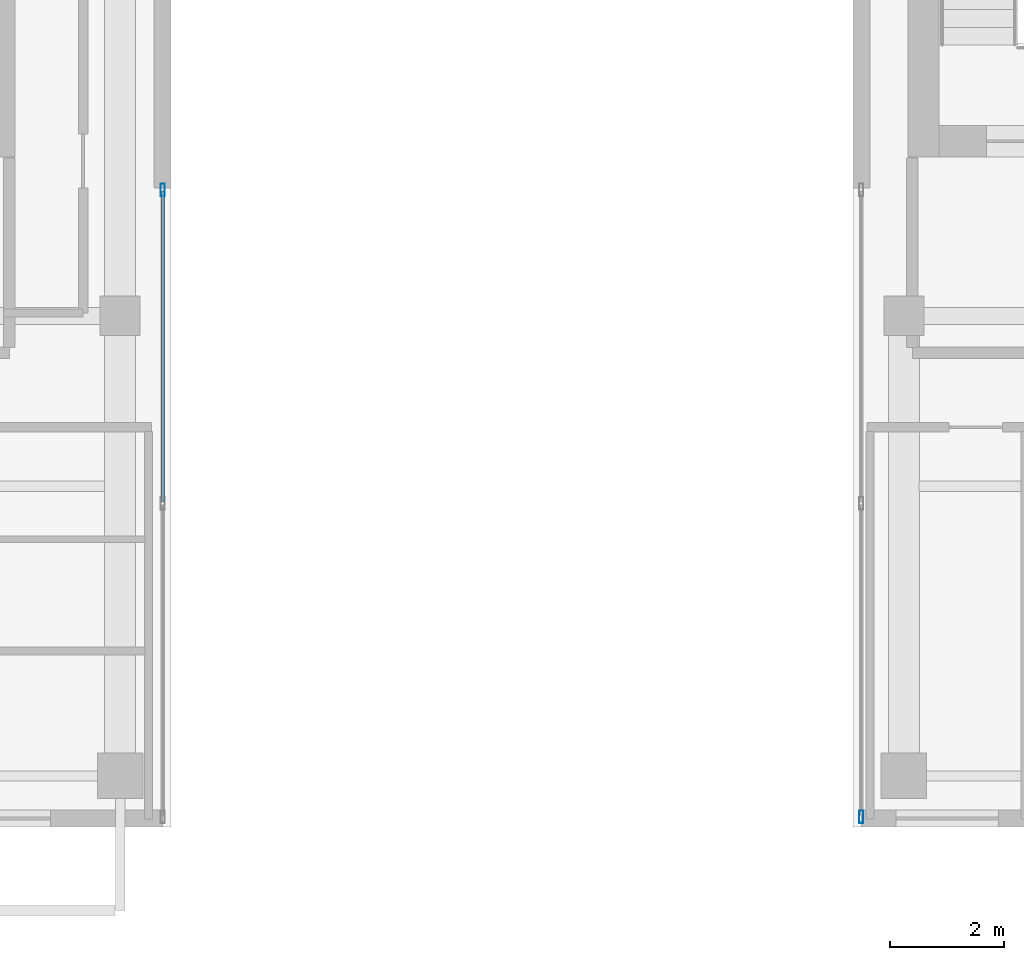
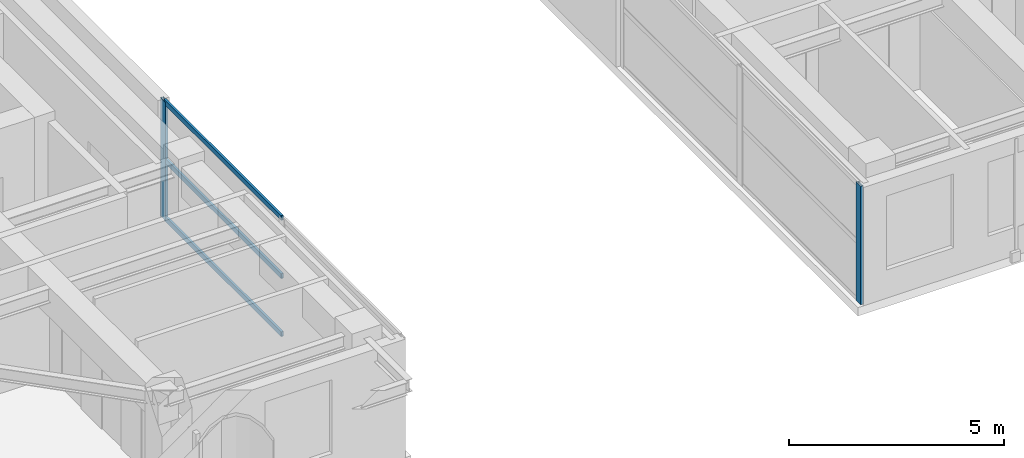
# One storey, part 4 of 22: 5 members, 2 elements without a shape of their own.
"""IFC4 building model written with IfcOpenShell, lengths in metres."""

from ifc_helpers import new_model, si_unit, direction, frame, origin, origin_2d, place, context, subcontext, project, spatial, hollow_rectangle, extrude, source, transform, mapped, material, layer, layer_set, material_profile, profile_set, type_object, element, aggregate, save


model = new_model("IFC4")

# Units and contexts
model_context = context("Model", 3, precision=1e-05, world=origin(), true_north=direction((0.0, 1.0)))
body_context = subcontext(model_context, "Body", "Model", "MODEL_VIEW")
ifc_project = project(units=[si_unit("LENGTHUNIT", "METRE"), si_unit("AREAUNIT", "SQUARE_METRE"), si_unit("VOLUMEUNIT", "CUBIC_METRE"), si_unit("PLANEANGLEUNIT", "RADIAN"), si_unit("MASSUNIT", "GRAM", prefix="KILO")], contexts=[model_context])

# Site, building, storey
site_placement = place(None, origin())
site = spatial("IfcSite", under=ifc_project, at=site_placement, CompositionType="ELEMENT")
building_placement = place(site_placement, origin())
building = spatial("IfcBuilding", under=site, at=building_placement, Name="Khoralis Quay Care Tower", CompositionType="ELEMENT")
storey_placement = place(building_placement, frame((0.0, 0.0, 256.5)))
storey = spatial("IfcBuildingStorey", under=building, at=storey_placement, Name="L67", CompositionType="ELEMENT", Elevation=256.5)

# Curtain wall, member
ifc_material = material(Name="Pale anodised aluminium", Category="aluminium")
ifc_layer = layer(ifc_material, 0.18994140625)
ifc_layer_set = layer_set([ifc_layer], Name="Pale anodised aluminium")
curtain_wall_type = type_object("IfcCurtainWallType", Name="CW-SYS-PORTAL", PredefinedType="NOTDEFINED", material=ifc_layer_set)
curtain_wall_1_placement = place(storey_placement, origin())
curtain_wall_1 = element("IfcCurtainWall", 1, at=curtain_wall_1_placement, inside=storey, type_object=curtain_wall_type, Name="L67 Unitised Curtain Wall CW-VP-L67-P1-S", PredefinedType="NOTDEFINED")
ifc_material_profile_1 = material_profile(ifc_material, hollow_rectangle(XDim=0.074951171875, YDim=0.219970703125, WallThickness=0.00390625, at=origin_2d()), Name="Pale anodised aluminium")
ifc_profile_set_1 = profile_set([ifc_material_profile_1], Name="Pale anodised aluminium")
member_type_1 = type_object("IfcMemberType", Name="CW-MUL-220", PredefinedType="MULLION", material=ifc_profile_set_1)
shared_shape_1 = source(origin(), body_context, "Body", "SweptSolid", [
    extrude(hollow_rectangle(XDim=0.074951171875, YDim=0.219970703125, WallThickness=0.00390625, at=origin_2d()), origin(), (0.0, 0.0, 1.0), 3.360107421875),
])
member_1_placement = place(storey_placement, frame((17.85009765625, 14.219970703125, 0.0), z_axis=(0.0, 0.0, 1.0), x_axis=(-1.0, 0.0, 0.0)))
member_1 = element("IfcMember", 2, at=member_1_placement, type_object=member_type_1, Name="CW4 mullion 3", PredefinedType="MULLION", context=body_context, shape_type="MappedRepresentation", body=[
    mapped(shared_shape_1, transform((0.0, 0.0, 0.0), scale=1.0)),
])

curtain_wall_2_placement = place(storey_placement, origin())
curtain_wall_2 = element("IfcCurtainWall", 3, at=curtain_wall_2_placement, inside=storey, type_object=curtain_wall_type, Name="L67 Unitised Curtain Wall CW-VP-L67-P2-S", PredefinedType="NOTDEFINED")
member_2_placement = place(storey_placement, frame((30.14990234375, 3.179931640625, 0.0), z_axis=(0.0, 0.0, 1.0), x_axis=(-1.0, 0.0, 0.0)))
member_2 = element("IfcMember", 4, at=member_2_placement, type_object=member_type_1, Name="CW4 mullion 1", PredefinedType="MULLION", context=body_context, shape_type="MappedRepresentation", body=[
    mapped(shared_shape_1, transform((0.0, 0.0, 0.0), scale=1.0)),
])
aggregate(curtain_wall_2, [member_2])

# Member
ifc_material_profile_2 = material_profile(ifc_material, hollow_rectangle(XDim=0.06005859375, YDim=0.139892578125, WallThickness=0.00390625, at=origin_2d()), Name="Pale anodised aluminium")
ifc_profile_set_2 = profile_set([ifc_material_profile_2], Name="Pale anodised aluminium")
member_type_2 = type_object("IfcMemberType", Name="CW-TRN-140", PredefinedType="USERDEFINED", material=ifc_profile_set_2)
shared_shape_2 = source(origin(), body_context, "Body", "SweptSolid", [
    extrude(hollow_rectangle(XDim=0.06005859375, YDim=0.139892578125, WallThickness=0.00390625, at=origin_2d()), origin(), (0.0, 0.0, 1.0), 5.4599609375),
])
member_3_placement = place(storey_placement, frame((17.85009765625, 8.72998046875, 0.030029296875), z_axis=(0.0, 1.0, 0.0), x_axis=(-1.0, 0.0, 0.0)))
member_3 = element("IfcMember", 5, at=member_3_placement, type_object=member_type_2, Name="CW4 transom 2.1", ObjectType="TRANSOM", PredefinedType="USERDEFINED", context=body_context, shape_type="MappedRepresentation", body=[
    mapped(shared_shape_2, transform((0.0, 0.0, 0.0), scale=1.0)),
])

member_4_placement = place(storey_placement, frame((17.85009765625, 8.72998046875, 1.679931640625), z_axis=(0.0, 1.0, 0.0), x_axis=(-1.0, 0.0, 0.0)))
member_4 = element("IfcMember", 6, at=member_4_placement, type_object=member_type_2, Name="CW4 transom 2.2", ObjectType="TRANSOM", PredefinedType="USERDEFINED", context=body_context, shape_type="MappedRepresentation", body=[
    mapped(shared_shape_2, transform((0.0, 0.0, 0.0), scale=1.0)),
])

member_5_placement = place(storey_placement, frame((17.85009765625, 8.72998046875, 3.330078125), z_axis=(0.0, 1.0, 0.0), x_axis=(-1.0, 0.0, 0.0)))
member_5 = element("IfcMember", 7, at=member_5_placement, type_object=member_type_2, Name="CW4 transom 2.3", ObjectType="TRANSOM", PredefinedType="USERDEFINED", context=body_context, shape_type="MappedRepresentation", body=[
    mapped(shared_shape_2, transform((0.0, 0.0, 0.0), scale=1.0)),
])

aggregate(curtain_wall_1, [member_1, member_3, member_4, member_5])

save(model, "model.ifc")
